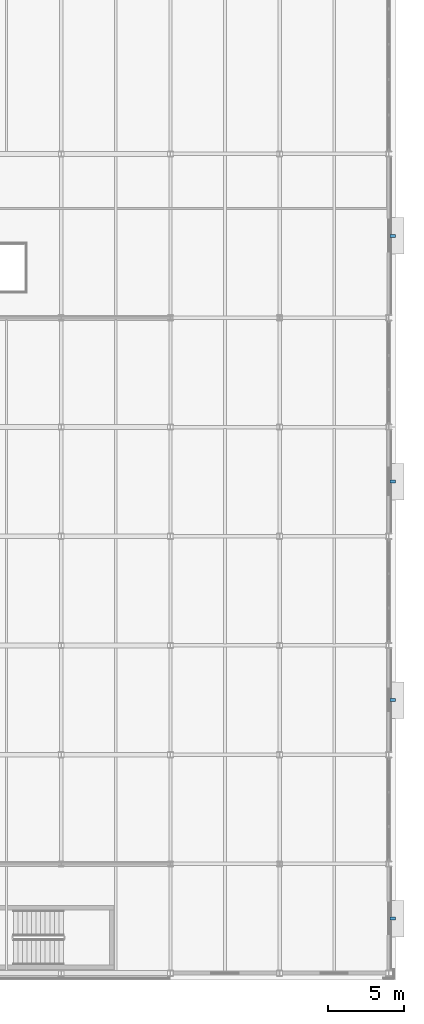
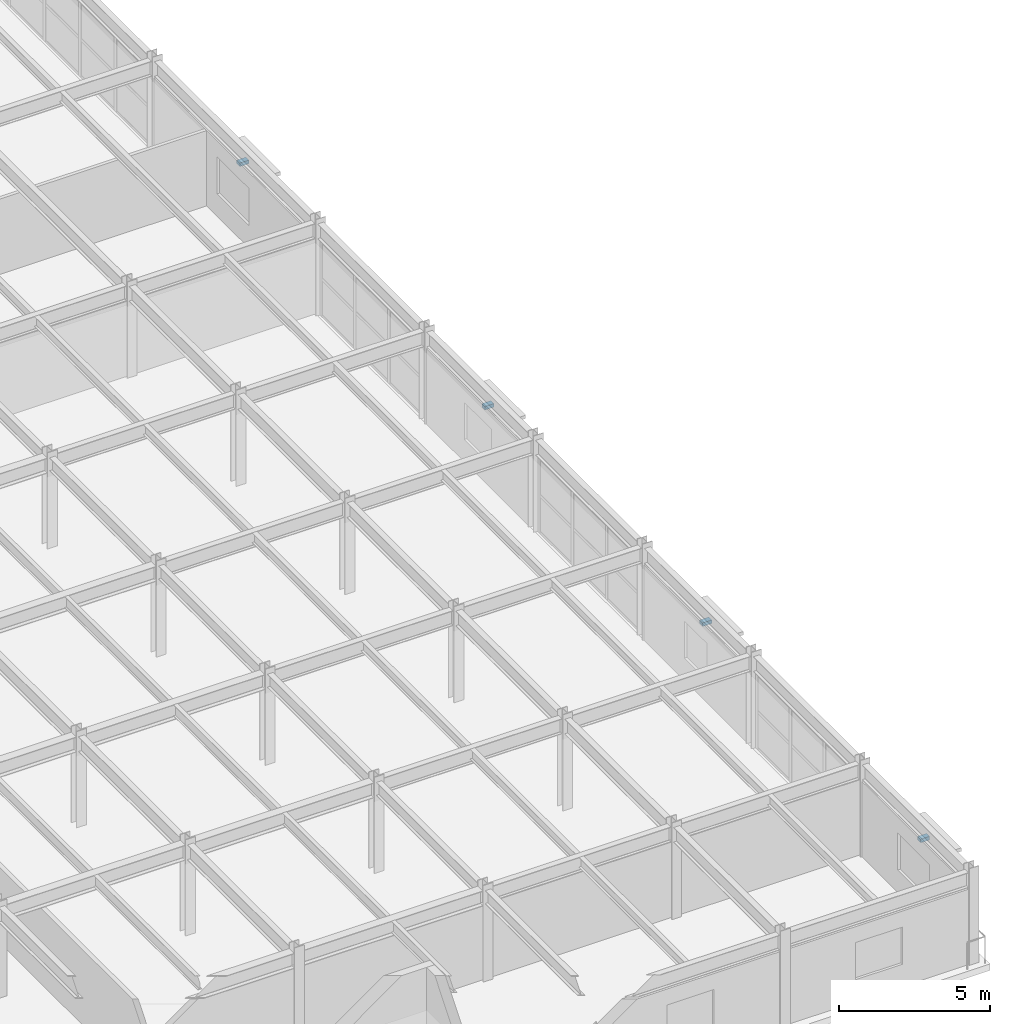
# One storey, part 73 of 93: 4 discrete accessories.
"""IFC4 building model written with IfcOpenShell, lengths in metres."""

from ifc_helpers import new_model, si_unit, direction, frame, origin, origin_2d, place, context, subcontext, project, spatial, rectangle, extrude, material, type_object, element, save


model = new_model("IFC4")

# Units and contexts
model_context = context("Model", 3, precision=1e-05, world=origin(), true_north=direction((0.0, 1.0)))
body_context = subcontext(model_context, "Body", "Model", "MODEL_VIEW")
ifc_project = project(units=[si_unit("LENGTHUNIT", "METRE"), si_unit("AREAUNIT", "SQUARE_METRE"), si_unit("VOLUMEUNIT", "CUBIC_METRE"), si_unit("PLANEANGLEUNIT", "RADIAN"), si_unit("MASSUNIT", "GRAM", prefix="KILO")], contexts=[model_context])

# Site, building, storey
site_placement = place(None, origin())
site = spatial("IfcSite", under=ifc_project, at=site_placement, CompositionType="ELEMENT")
building_placement = place(site_placement, origin())
building = spatial("IfcBuilding", under=site, at=building_placement, Name="Vaelcorin Mobility Hub", CompositionType="ELEMENT")
storey_placement = place(building_placement, frame((0.0, 0.0, 5.39990234375)))
storey = spatial("IfcBuildingStorey", under=building, at=storey_placement, Name="L01", CompositionType="ELEMENT", Elevation=5.39990234375)

# Discrete accessories
ifc_material = material(Name="Galvanised structural steel ASTM A36", Category="steel")
discrete_accessory_type = type_object("IfcDiscreteAccessoryType", Name="ACC-BRK-FIN", PredefinedType="BRACKET", material=ifc_material)
for number, where, z_axis, x_axis, name in (
    (1, (204.25, 9.60009765625, 2.623046875), (0.0, 0.0, 1.0), (1.0, 0.0, 0.0), "Sun-Hood Bracket L01-01"),
    (2, (204.25, 24.0, 2.623046875), (0.0, 0.0, 1.0), (1.0, 0.0, 0.0), "Sun-Hood Bracket L01-03"),
    (3, (204.25, 38.39990234375, 2.623046875), (0.0, 0.0, 1.0), (1.0, 0.0, 0.0), "Sun-Hood Bracket L01-05"),
    (4, (204.25, 54.60009765625, 2.623046875), (0.0, 0.0, 1.0), (1.0, 0.0, 0.0), "Sun-Hood Bracket L01-07"),
):
    element("IfcDiscreteAccessory", number, at=place(storey_placement, frame(where, z_axis=z_axis, x_axis=x_axis)), inside=storey, type_object=discrete_accessory_type, Name=name, PredefinedType="BRACKET", context=body_context, shape_type="SweptSolid", body=[
        extrude(rectangle(XDim=0.35009765625, YDim=0.199951171875, at=origin_2d()), origin(), (0.0, 0.0, 1.0), 0.139892578125),
    ])

save(model, "model.ifc")
